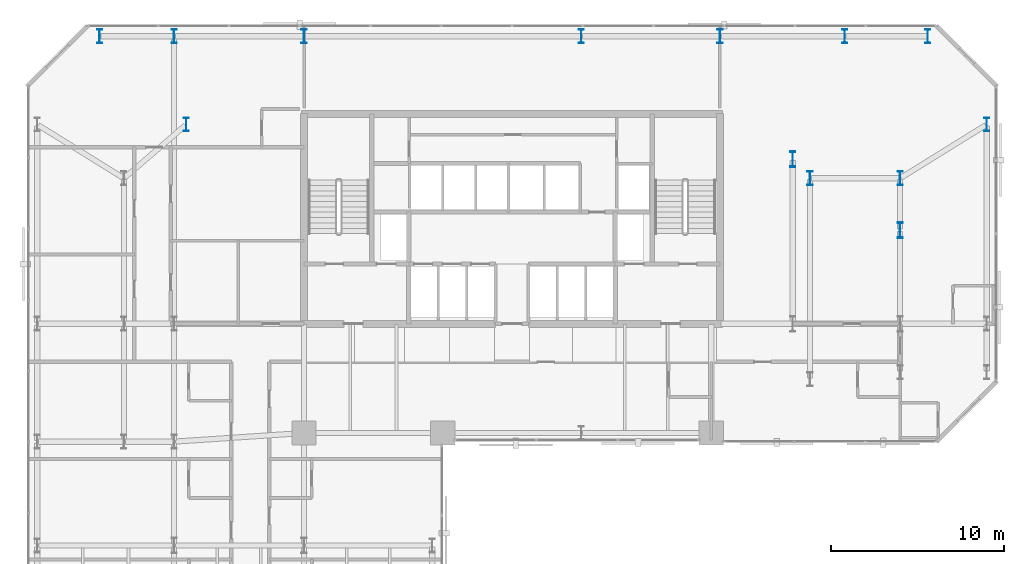
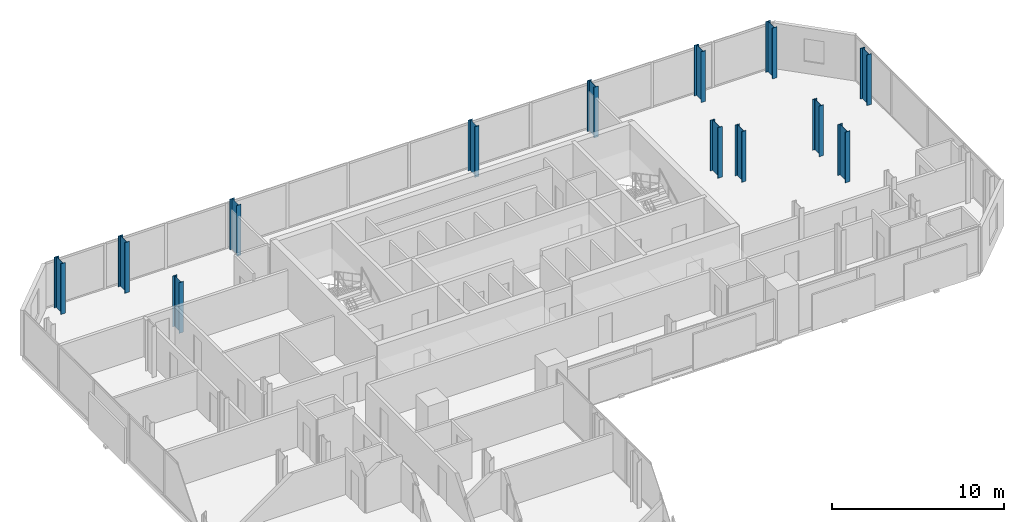
# One storey, part 2 of 33: 13 columns.
"""IFC4 building model written with IfcOpenShell, lengths in metres."""

from ifc_helpers import new_model, si_unit, direction, frame, origin, origin_2d, place, context, subcontext, project, spatial, i_section, extrude, material, material_profile, profile_set, type_object, element, save


model = new_model("IFC4")

# Units and contexts
model_context = context("Model", 3, precision=1e-05, world=origin(), true_north=direction((0.0, 1.0)))
body_context = subcontext(model_context, "Body", "Model", "MODEL_VIEW")
ifc_project = project(units=[si_unit("LENGTHUNIT", "METRE"), si_unit("AREAUNIT", "SQUARE_METRE"), si_unit("VOLUMEUNIT", "CUBIC_METRE"), si_unit("PLANEANGLEUNIT", "RADIAN"), si_unit("MASSUNIT", "GRAM", prefix="KILO")], contexts=[model_context])

# Site, building, storey
site_placement = place(None, origin())
site = spatial("IfcSite", under=ifc_project, at=site_placement, CompositionType="ELEMENT")
building_placement = place(site_placement, origin())
building = spatial("IfcBuilding", under=site, at=building_placement, Name="Catumbela Crestline Tower", CompositionType="ELEMENT")
storey_placement = place(building_placement, frame((0.0, 0.0, 76.2)))
storey = spatial("IfcBuildingStorey", under=building, at=storey_placement, Name="L19", CompositionType="ELEMENT", Elevation=76.2)

# Columns
ifc_material = material(Name="Structural steel S460M", Category="steel")
ifc_material_profile_1 = material_profile(ifc_material, i_section(OverallWidth=0.3, OverallDepth=0.8, WebThickness=0.0175, FlangeThickness=0.033, FilletRadius=0.03, at=origin_2d()), Name="HEB 800")
ifc_profile_set_1 = profile_set([ifc_material_profile_1], Name="Structural steel S460M")
column_type_1 = type_object("IfcColumnType", Name="C-ST-HEB800", PredefinedType="COLUMN", material=ifc_profile_set_1)
for number, where, z_axis, x_axis, name in (
    (1, (9.2, 42.3, 0.0), (0.0, 0.0, 1.0), (1.0, 0.0, 0.0), "L19 Column C-08-43 (HEB 800)"),
    (2, (45.2, 39.2, 0.0), (0.0, 0.0, 1.0), (1.0, 0.0, 0.0), "L19 Column C-46-43 (HEB 800)"),
    (3, (4.2, 47.4, 0.0), (0.0, 0.0, 1.0), (1.0, 0.0, 0.0), "L19 Column C-00-48 (HEB 800)"),
    (4, (8.5, 47.4, 0.0), (0.0, 0.0, 1.0), (1.0, 0.0, 0.0), "L19 Column C-08-48 (HEB 800)"),
    (5, (16.0, 47.4, 0.0), (0.0, 0.0, 1.0), (1.0, 0.0, 0.0), "L19 Column C-16-48 (HEB 800)"),
    (6, (32.0, 47.4, 0.0), (0.0, 0.0, 1.0), (1.0, 0.0, 0.0), "L19 Column C-32-48 (HEB 800)"),
    (7, (40.0, 47.4, 0.0), (0.0, 0.0, 1.0), (1.0, 0.0, 0.0), "L19 Column C-40-48 (HEB 800)"),
    (8, (47.2, 47.4, 0.0), (0.0, 0.0, 1.0), (1.0, 0.0, 0.0), "L19 Column C-48-48 (HEB 800)"),
    (9, (50.4, 39.2, 0.0), (0.0, 0.0, 1.0), (1.0, 0.0, 0.0), "L19 Column C-51-43 (HEB 800)"),
    (10, (55.4, 42.3, 0.0), (0.0, 0.0, 1.0), (1.0, 0.0, 0.0), "L19 Column C-56-43 (HEB 800)"),
    (11, (52.0, 47.4, 0.0), (0.0, 0.0, 1.0), (1.0, 0.0, 0.0), "L19 Column C-56-48 (HEB 800)"),
):
    element("IfcColumn", number, at=place(storey_placement, frame(where, z_axis=z_axis, x_axis=x_axis)), inside=storey, type_object=column_type_1, Name=name, PredefinedType="COLUMN", context=body_context, shape_type="SweptSolid", body=[
        extrude(i_section(OverallWidth=0.3, OverallDepth=0.8, WebThickness=0.0175, FlangeThickness=0.033, FilletRadius=0.03, at=origin_2d()), origin(), (0.0, 0.0, 1.0), 3.6),
    ])
ifc_material_profile_2 = material_profile(ifc_material, i_section(OverallWidth=0.3, OverallDepth=0.9, WebThickness=0.0185, FlangeThickness=0.035, FilletRadius=0.03, at=origin_2d()), Name="HEB 900")
ifc_profile_set_2 = profile_set([ifc_material_profile_2], Name="Structural steel S460M")
column_type_2 = type_object("IfcColumnType", Name="C-ST-HEB900", PredefinedType="COLUMN", material=ifc_profile_set_2)
for number, where, z_axis, x_axis, name in (
    (12, (44.2, 40.3, 0.0), (0.0, 0.0, 1.0), (1.0, 0.0, 0.0), "L19 Column CT-46-37 (HEB 900)"),
    (13, (50.4, 36.2, 0.0), (0.0, 0.0, 1.0), (1.0, 0.0, 0.0), "L19 Column CT-51-37 (HEB 900)"),
):
    element("IfcColumn", number, at=place(storey_placement, frame(where, z_axis=z_axis, x_axis=x_axis)), inside=storey, type_object=column_type_2, Name=name, PredefinedType="COLUMN", context=body_context, shape_type="SweptSolid", body=[
        extrude(i_section(OverallWidth=0.3, OverallDepth=0.9, WebThickness=0.0185, FlangeThickness=0.035, FilletRadius=0.03, at=origin_2d()), origin(), (0.0, 0.0, 1.0), 3.6),
    ])

save(model, "model.ifc")
